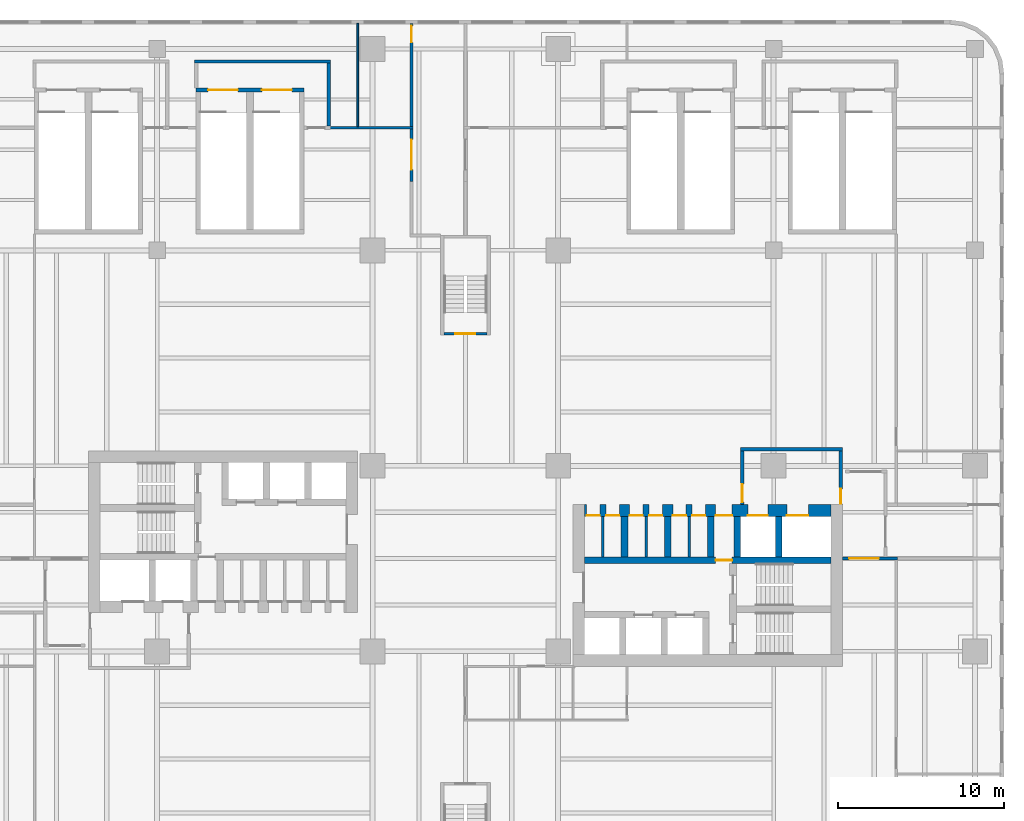
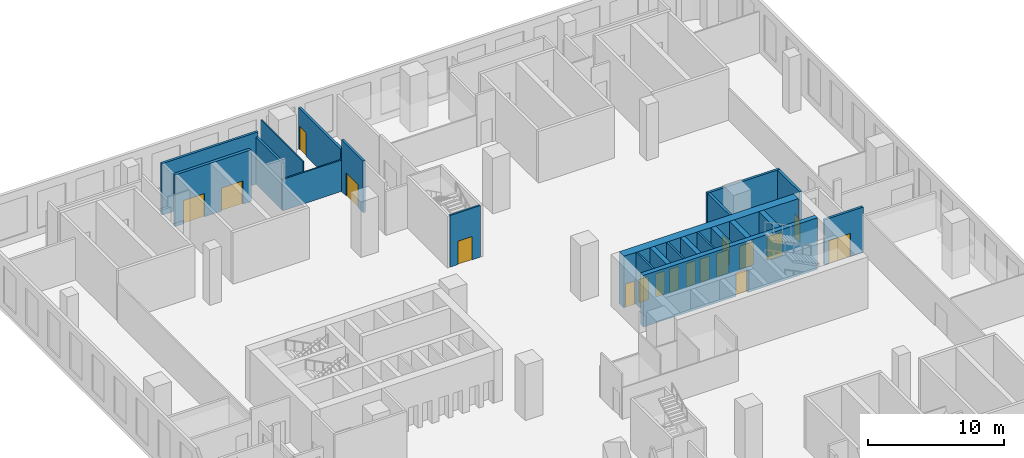
# One storey, part 9 of 13: 22 walls, 18 doors, 18 openings.
"""IFC4 building model written with IfcOpenShell, lengths in metres."""

import ifcopenshell
import ifcopenshell.guid

model = None  # the IFC model being written
_history = None  # IfcOwnerHistory: only IFC2X3 demands one
_inside = {}  # id of a spatial element -> (the spatial element, [elements in it])
_under = {}  # id of a project, library or spatial element -> (it, [spatial elements below it])
_declared = {}  # id of a project -> (the project, [libraries it declares])
_typed = {}  # id of a type object -> (the type object, [elements of that type])
_made_of = {}  # id of a material, layer set ... -> (it, [elements and type objects made of it])


def new_model(schema):
    """Start an empty IFC model of exactly this schema.

    Asked for "IFC4X3", IfcOpenShell would pick the latest addendum, in which some entities
    have other attributes; the version numbers below select the first issue.
    IFC2X3 requires an IfcOwnerHistory on every rooted entity: one is made here for all.
    """
    global model, _history
    if schema == "IFC4X3":
        model = ifcopenshell.file(schema_version=(4, 3, 0, 0))
    else:
        model = ifcopenshell.file(schema=schema)
    _inside.clear()
    _under.clear()
    _declared.clear()
    _typed.clear()
    _made_of.clear()
    _history = None
    if model.schema == "IFC2X3":
        org = make("IfcOrganization", Name="unknown")
        user = make(
            "IfcPersonAndOrganization",
            ThePerson=make("IfcPerson", FamilyName="unknown"),
            TheOrganization=org,
        )
        app = make(
            "IfcApplication",
            ApplicationDeveloper=org,
            Version="unknown",
            ApplicationFullName="unknown",
            ApplicationIdentifier="unknown",
        )
        _history = make(
            "IfcOwnerHistory",
            OwningUser=user,
            OwningApplication=app,
            ChangeAction="ADDED",
            CreationDate=0,
        )
    return model


def make(cls, **values):
    """One entity of the class cls with the attributes given. An attribute that is None is left unset."""
    return model.create_entity(
        cls, **{name: value for name, value in values.items() if value is not None}
    )


def rooted(cls, **values):
    """An entity with a GlobalId (a new one), such as an element, a storey or a relation."""
    return make(cls, GlobalId=ifcopenshell.guid.new(), OwnerHistory=_history, **values)


def si_unit(unit_type, name, prefix=None):
    """IfcSIUnit, for example si_unit("LENGTHUNIT", "METRE", prefix="MILLI")."""
    return make("IfcSIUnit", UnitType=unit_type, Prefix=prefix, Name=name)


def assignment(units):
    """IfcUnitAssignment: the units of a project."""
    return None if units is None else make("IfcUnitAssignment", Units=units)


def point(xyz):
    """IfcCartesianPoint."""
    return None if xyz is None else make("IfcCartesianPoint", Coordinates=xyz)


def direction(xyz):
    """IfcDirection."""
    return None if xyz is None else make("IfcDirection", DirectionRatios=xyz)


def frame(location, z_axis=None, x_axis=None):
    """IfcAxis2Placement3D, a coordinate frame: its origin and axes. An axis left out is left unset."""
    return make(
        "IfcAxis2Placement3D",
        Location=point(location),
        Axis=direction(z_axis),
        RefDirection=direction(x_axis),
    )


def frame_2d(location, x_axis=None):
    """IfcAxis2Placement2D, a coordinate frame in the plane: its origin and x axis."""
    return make(
        "IfcAxis2Placement2D", Location=point(location), RefDirection=direction(x_axis)
    )


def origin():
    """The frame at (0, 0, 0) with its axes left unset."""
    return frame((0.0, 0.0, 0.0))


def place(relative_to, where):
    """IfcLocalPlacement: puts the frame where relative to a parent placement (None: the world)."""
    return make(
        "IfcLocalPlacement", PlacementRelTo=relative_to, RelativePlacement=where
    )


def context(
    kind, dimensions, precision=None, world=None, true_north=None, identifier=None
):
    """IfcGeometricRepresentationContext, for example the 3D "Model" context."""
    return make(
        "IfcGeometricRepresentationContext",
        ContextIdentifier=identifier,
        ContextType=kind,
        CoordinateSpaceDimension=dimensions,
        Precision=precision,
        WorldCoordinateSystem=world,
        TrueNorth=true_north,
    )


def subcontext(parent, identifier, kind, view, scale=None):
    """IfcGeometricRepresentationSubContext, for example "Body" below "Model"."""
    return make(
        "IfcGeometricRepresentationSubContext",
        ContextIdentifier=identifier,
        ContextType=kind,
        ParentContext=parent,
        TargetScale=scale,
        TargetView=view,
    )


def project(units=None, contexts=None):
    """IfcProject with its units and contexts."""
    return rooted(
        "IfcProject",
        Name="project",
        RepresentationContexts=contexts,
        UnitsInContext=assignment(units),
    )


def spatial(cls, under=None, at=None, **own):
    """A site, building, storey or space (cls), placed at a placement, below another one or the project."""
    s = rooted(cls, ObjectPlacement=at, **own)
    if under is not None:
        _under.setdefault(under.id(), (under, []))[1].append(s)
    return s


def profile(cls, at=None, kind="AREA", **sizes):
    """A parametric profile (cls). Its sizes go by their IFC names, for example OverallWidth=200.0."""
    return make(cls, ProfileType=kind, Position=at, **sizes)


def rectangle(**sizes):
    """IfcRectangleProfileDef."""
    return profile("IfcRectangleProfileDef", **sizes)


def extrude(swept, where, along, depth):
    """IfcExtrudedAreaSolid: the profile swept, set in the frame where, extruded along a direction by depth."""
    return make(
        "IfcExtrudedAreaSolid",
        SweptArea=swept,
        Position=where,
        ExtrudedDirection=direction(along),
        Depth=depth,
    )


def shape(context_of_items, identifier, shape_type, items):
    """IfcShapeRepresentation: the items that make up one representation, for example the "Body"."""
    return make(
        "IfcShapeRepresentation",
        ContextOfItems=context_of_items,
        RepresentationIdentifier=identifier,
        RepresentationType=shape_type,
        Items=items,
    )


def source(mapping_origin, context_of_items, identifier, shape_type, items):
    """IfcRepresentationMap: a shape defined once, which mapped items show again and again."""
    return make(
        "IfcRepresentationMap",
        MappingOrigin=mapping_origin,
        MappedRepresentation=shape(context_of_items, identifier, shape_type, items),
    )


def transform(
    local_origin,
    x_axis=None,
    y_axis=None,
    z_axis=None,
    scale=None,
    scale2=None,
    scale3=None,
    uniform=True,
):
    """IfcCartesianTransformationOperator3D, or its non-uniform kind. x_axis, y_axis, z_axis: its Axis1, 2, 3."""
    if uniform:
        return make(
            "IfcCartesianTransformationOperator3D",
            Axis1=direction(x_axis),
            Axis2=direction(y_axis),
            LocalOrigin=point(local_origin),
            Scale=scale,
            Axis3=direction(z_axis),
        )
    return make(
        "IfcCartesianTransformationOperator3DnonUniform",
        Axis1=direction(x_axis),
        Axis2=direction(y_axis),
        LocalOrigin=point(local_origin),
        Scale=scale,
        Axis3=direction(z_axis),
        Scale2=scale2,
        Scale3=scale3,
    )


def mapped(mapping_source, mapping_target):
    """IfcMappedItem: shows the shape of a source again, moved by a transform."""
    return make(
        "IfcMappedItem", MappingSource=mapping_source, MappingTarget=mapping_target
    )


def material(Name=None, Category=None):
    """IfcMaterial."""
    return make("IfcMaterial", Name=Name, Category=Category)


def layer(
    of_material, thickness, ventilated=None, Name=None, Category=None, Priority=None
):
    """IfcMaterialLayer: one layer of a wall or slab, of a material (None: an air gap)."""
    return make(
        "IfcMaterialLayer",
        Material=of_material,
        LayerThickness=thickness,
        IsVentilated=ventilated,
        Name=Name,
        Category=Category,
        Priority=Priority,
    )


def layer_set(layers, Name=None):
    """IfcMaterialLayerSet."""
    return make("IfcMaterialLayerSet", MaterialLayers=layers, LayerSetName=Name)


def made_of(thing, what):
    """Note that an element or type object is made of a material, layer set ...; save() writes the relation."""
    if what is not None:
        _made_of.setdefault(what.id(), (what, []))[1].append(thing)
    return thing


def type_object(cls, material=None, **own):
    """A type object (cls), such as IfcWallType, which elements share."""
    return made_of(rooted(cls, **own), material)


def element(
    cls,
    number,
    at=None,
    inside=None,
    cuts=None,
    type_object=None,
    material=None,
    context=None,
    identifier="Body",
    shape_type=None,
    held_by="IfcProductDefinitionShape",
    body=None,
    shapes=None,
    **own,
):
    """One element of the class cls, such as IfcWall. Its Tag is "e" and its number.

    at: its placement. inside: the storey or other place that contains it. cuts: it is an
    opening in that element (IfcRelVoidsElement). A single representation is given by context,
    identifier, shape_type and body (its items); several are given by shapes. held_by: the class
    of the entity that holds the representations. save() writes the other relations.
    """
    e = rooted(cls, Tag="e%d" % number, ObjectPlacement=at, **own)
    if body is not None:
        shapes = [shape(context, identifier, shape_type, body)]
    if shapes is not None:
        e.Representation = make(held_by, Representations=shapes)
    if inside is not None:
        _inside.setdefault(inside.id(), (inside, []))[1].append(e)
    if cuts is not None:
        rooted(
            "IfcRelVoidsElement", RelatingBuildingElement=cuts, RelatedOpeningElement=e
        )
    if type_object is not None:
        _typed.setdefault(type_object.id(), (type_object, []))[1].append(e)
    return made_of(e, material)


def fill(opening, filler):
    """IfcRelFillsElement: the door or window that sits in an opening."""
    return rooted(
        "IfcRelFillsElement",
        RelatingOpeningElement=opening,
        RelatedBuildingElement=filler,
    )


def aggregate(whole, parts):
    """IfcRelAggregates: a whole, such as a stair, and the parts it consists of."""
    return rooted("IfcRelAggregates", RelatingObject=whole, RelatedObjects=parts)


def save(model, path):
    """Write the relations noted so far, then the file.

    IfcRelAggregates (storeys below a building ...), IfcRelContainedInSpatialStructure (elements
    in a storey), IfcRelDefinesByType, IfcRelAssociatesMaterial and IfcRelDeclares: one each for
    every whole, place, type object, material and project.
    """
    for whole, parts in _under.values():
        aggregate(whole, parts)
    for where, things in _inside.values():
        rooted(
            "IfcRelContainedInSpatialStructure",
            RelatedElements=things,
            RelatingStructure=where,
        )
    for kind, things in _typed.values():
        rooted("IfcRelDefinesByType", RelatedObjects=things, RelatingType=kind)
    for what, things in _made_of.values():
        rooted("IfcRelAssociatesMaterial", RelatedObjects=things, RelatingMaterial=what)
    for by, libraries in _declared.values():
        rooted("IfcRelDeclares", RelatingContext=by, RelatedDefinitions=libraries)
    model.write(path)


model = new_model("IFC4")

# Units and contexts
model_context = context("Model", 3, precision=1e-05, world=origin(), true_north=direction((0.0, 1.0)))
body_context = subcontext(model_context, "Body", "Model", "MODEL_VIEW")
ifc_project = project(units=[si_unit("LENGTHUNIT", "METRE"), si_unit("AREAUNIT", "SQUARE_METRE"), si_unit("VOLUMEUNIT", "CUBIC_METRE"), si_unit("PLANEANGLEUNIT", "RADIAN"), si_unit("MASSUNIT", "GRAM", prefix="KILO")], contexts=[model_context])

# Site, building, storey
site_placement = place(None, origin())
site = spatial("IfcSite", under=ifc_project, at=site_placement, CompositionType="ELEMENT")
building_placement = place(site_placement, origin())
building = spatial("IfcBuilding", under=site, at=building_placement, Name="Trellis Farm Tower", CompositionType="ELEMENT")
storey_placement = place(building_placement, frame((0.0, 0.0, 29.0)))
storey = spatial("IfcBuildingStorey", under=building, at=storey_placement, Name="L05", CompositionType="ELEMENT", Elevation=29.0)

# Walls
ifc_material_1 = material(Name="Concrete C80/95", Category="concrete")
ifc_layer_1 = layer(ifc_material_1, 0.39990234375)
ifc_layer_set_1 = layer_set([ifc_layer_1], Name="CORE INNER WALL 400 CONCRETE C80/95")
wall_type_1 = type_object("IfcWallType", Name="CORE INNER WALL 400 CONCRETE C80/95", PredefinedType="SHEAR", material=ifc_layer_set_1)
shared_shape_1 = source(origin(), body_context, "Body", "SweptSolid", [
    extrude(rectangle(XDim=2.449951171875, YDim=0.39990234375, at=frame_2d((1.22509765625, 0.0))), origin(), (0.0, 0.0, 1.0), 4.64990234375),
])
for number, where, z_axis, x_axis, name in (
    (1, (9.60009765625, 0.10009765625, 0.0), (0.0, 0.0, 1.0), (0.0, 1.0, 0.0), "Core wall"),
    (2, (12.199951171875, 0.10009765625, 0.0), (0.0, 0.0, 1.0), (0.0, 1.0, 0.0), "Core wall"),
    (3, (14.800048828125, 0.10009765625, 0.0), (0.0, 0.0, 1.0), (0.0, 1.0, 0.0), "Core wall"),
    (4, (16.39990234375, 0.10009765625, 0.0), (0.0, 0.0, 1.0), (0.0, 1.0, 0.0), "Core wall"),
    (5, (18.89990234375, 0.10009765625, 0.0), (0.0, 0.0, 1.0), (0.0, 1.0, 0.0), "Core wall"),
):
    element("IfcWall", number, at=place(storey_placement, frame(where, z_axis=z_axis, x_axis=x_axis)), inside=storey, type_object=wall_type_1, Name=name, PredefinedType="SHEAR", context=body_context, shape_type="MappedRepresentation", body=[
        mapped(shared_shape_1, transform((0.0, 0.0, 0.0))),
    ])

# Wall, opening, door
ifc_material_2 = material(Name="Masonry blockwork", Category="masonry")
ifc_layer_2 = layer(ifc_material_2, 0.199951171875)
ifc_layer_set_2 = layer_set([ifc_layer_2], Name="FIRE LOBBY PARTITION 200 BLOCKWORK")
wall_type_2 = type_object("IfcWallType", Name="FIRE LOBBY PARTITION 200 BLOCKWORK", PredefinedType="PARTITIONING", material=ifc_layer_set_2)
shared_shape_2 = source(origin(), body_context, "Body", "SweptSolid", [
    extrude(rectangle(XDim=3.25, YDim=0.199951171875, at=frame_2d((1.625, 0.0))), origin(), (0.0, 0.0, 1.0), 4.64990234375),
])
wall_1_placement = place(storey_placement, frame((16.699951171875, 3.25, 0.0), z_axis=(0.0, 0.0, 1.0), x_axis=(0.0, 1.0, 0.0)))
wall_1 = element("IfcWall", 6, at=wall_1_placement, inside=storey, type_object=wall_type_2, Name="Fire-fighting lobby partition", PredefinedType="PARTITIONING", context=body_context, shape_type="MappedRepresentation", body=[
    mapped(shared_shape_2, transform((0.0, 0.0, 0.0))),
])
shared_shape_3 = source(origin(), body_context, "Body", "SweptSolid", [
    extrude(rectangle(XDim=1.10009765625, YDim=2.10009765625, at=frame_2d((0.550048828125, 1.050048828125))), frame((0.0, 0.110107421875, 0.0), z_axis=(0.0, -1.0, 0.0), x_axis=(1.0, 0.0, 0.0)), (0.0, 0.0, 1.0), 0.22021484375),
])
opening_1_placement = place(wall_1_placement, frame((0.14990234375, 0.0, 0.0)))
opening_1 = element("IfcOpeningElement", 7, at=opening_1_placement, cuts=wall_1, Name="Opening DC7", PredefinedType="OPENING", context=body_context, shape_type="MappedRepresentation", body=[
    mapped(shared_shape_3, transform((0.0, 0.0, 0.0))),
])
ifc_material_3 = material(Name="Steel", Category="steel")
door_type_1 = type_object("IfcDoorType", Name="CORE FIRE DOOR 1100 X 2100", OperationType="NOTDEFINED", PredefinedType="DOOR", material=ifc_material_3)
shared_shape_4 = source(origin(), body_context, "Body", "SweptSolid", [
    extrude(rectangle(XDim=1.10009765625, YDim=2.10009765625, at=frame_2d((0.550048828125, 1.050048828125))), frame((0.0, 0.02490234375, 0.0), z_axis=(0.0, -1.0, 0.0), x_axis=(1.0, 0.0, 0.0)), (0.0, 0.0, 1.0), 0.050048828125),
])
door_1_placement = place(opening_1_placement, origin())
door_1 = element("IfcDoor", 8, at=door_1_placement, inside=storey, type_object=door_type_1, Name="Core door", OperationType="SINGLE_SWING_RIGHT", OverallHeight=2.10009765625, OverallWidth=1.10009765625, PredefinedType="DOOR", context=body_context, shape_type="MappedRepresentation", body=[
    mapped(shared_shape_4, transform((0.0, 0.0, 0.0))),
])
fill(opening_1, door_1)

wall_2_placement = place(storey_placement, frame((22.64990234375, 3.25, 0.0), z_axis=(0.0, 0.0, 1.0), x_axis=(0.0, 1.0, 0.0)))
wall_2 = element("IfcWall", 9, at=wall_2_placement, inside=storey, type_object=wall_type_2, Name="Fire-fighting lobby partition", PredefinedType="PARTITIONING", context=body_context, shape_type="MappedRepresentation", body=[
    mapped(shared_shape_2, transform((0.0, 0.0, 0.0))),
])
shared_shape_5 = source(origin(), body_context, "Body", "SweptSolid", [
    extrude(rectangle(XDim=0.89990234375, YDim=2.10009765625, at=frame_2d((0.449951171875, 1.050048828125))), frame((0.0, 0.110107421875, 0.0), z_axis=(0.0, -1.0, 0.0), x_axis=(1.0, 0.0, 0.0)), (0.0, 0.0, 1.0), 0.22021484375),
])
opening_2_placement = place(wall_2_placement, frame((0.050048828125, 0.0, 0.0)))
opening_2 = element("IfcOpeningElement", 10, at=opening_2_placement, cuts=wall_2, Name="Opening DC8", PredefinedType="OPENING", context=body_context, shape_type="MappedRepresentation", body=[
    mapped(shared_shape_5, transform((0.0, 0.0, 0.0))),
])
door_type_2 = type_object("IfcDoorType", Name="CORE FIRE DOOR 900 X 2100", OperationType="NOTDEFINED", PredefinedType="DOOR", material=ifc_material_3)
shared_shape_6 = source(origin(), body_context, "Body", "SweptSolid", [
    extrude(rectangle(XDim=0.89990234375, YDim=2.10009765625, at=frame_2d((0.449951171875, 1.050048828125))), frame((0.0, 0.02490234375, 0.0), z_axis=(0.0, -1.0, 0.0), x_axis=(1.0, 0.0, 0.0)), (0.0, 0.0, 1.0), 0.050048828125),
])
door_2_placement = place(opening_2_placement, origin())
door_2 = element("IfcDoor", 11, at=door_2_placement, inside=storey, type_object=door_type_2, Name="Core door", OperationType="SINGLE_SWING_RIGHT", OverallHeight=2.10009765625, OverallWidth=0.89990234375, PredefinedType="DOOR", context=body_context, shape_type="MappedRepresentation", body=[
    mapped(shared_shape_6, transform((0.0, 0.0, 0.0))),
])
fill(opening_2, door_2)

# Walls
ifc_layer_3 = layer(ifc_material_2, 0.14990234375)
ifc_layer_set_3 = layer_set([ifc_layer_3], Name="CORE PARTITION 150 BLOCKWORK")
wall_type_3 = type_object("IfcWallType", Name="CORE PARTITION 150 BLOCKWORK", PredefinedType="PARTITIONING", material=ifc_layer_set_3)
shared_shape_7 = source(origin(), body_context, "Body", "SweptSolid", [
    extrude(rectangle(XDim=2.449951171875, YDim=0.14990234375, at=frame_2d((1.22509765625, 0.0))), origin(), (0.0, 0.0, 1.0), 4.64990234375),
])
for number, where, z_axis, x_axis, name in (
    (12, (8.300048828125, 0.10009765625, 0.0), (0.0, 0.0, 1.0), (0.0, 1.0, 0.0), "Core room partition"),
    (13, (10.89990234375, 0.10009765625, 0.0), (0.0, 0.0, 1.0), (0.0, 1.0, 0.0), "Core room partition"),
    (14, (13.5, 0.10009765625, 0.0), (0.0, 0.0, 1.0), (0.0, 1.0, 0.0), "Core room partition"),
):
    element("IfcWall", number, at=place(storey_placement, frame(where, z_axis=z_axis, x_axis=x_axis)), inside=storey, type_object=wall_type_3, Name=name, PredefinedType="PARTITIONING", context=body_context, shape_type="MappedRepresentation", body=[
        mapped(shared_shape_7, transform((0.0, 0.0, 0.0))),
    ])

# Wall, openings, doors
ifc_layer_4 = layer(ifc_material_1, 0.699951171875)
ifc_layer_set_4 = layer_set([ifc_layer_4], Name="CORE OUTER WALL 700 CONCRETE C80/95")
wall_type_4 = type_object("IfcWallType", Name="CORE OUTER WALL 700 CONCRETE C80/95", PredefinedType="SHEAR", material=ifc_layer_set_4)
shared_shape_8 = source(origin(), body_context, "Body", "SweptSolid", [
    extrude(rectangle(XDim=14.85009765625, YDim=0.699951171875, at=frame_2d((7.425048828125, 0.0))), origin(), (0.0, 0.0, 1.0), 4.64990234375),
])
wall_3_placement = place(storey_placement, frame((7.199951171875, 2.89990234375, 0.0), z_axis=(0.0, 0.0, 1.0), x_axis=(1.0, 0.0, 0.0)))
wall_3 = element("IfcWall", 15, at=wall_3_placement, inside=storey, type_object=wall_type_4, Name="Core wall", PredefinedType="SHEAR", context=body_context, shape_type="MappedRepresentation", body=[
    mapped(shared_shape_8, transform((0.0, 0.0, 0.0))),
])
shared_shape_9 = source(origin(), body_context, "Body", "SweptSolid", [
    extrude(rectangle(XDim=1.300048828125, YDim=2.10009765625, at=frame_2d((0.64990234375, 1.050048828125))), frame((0.0, 0.360107421875, 0.0), z_axis=(0.0, -1.0, 0.0), x_axis=(1.0, 0.0, 0.0)), (0.0, 0.0, 1.0), 0.72021484375),
])
opening_3_placement = place(wall_3_placement, frame((12.199951171875, 0.0, 0.0)))
opening_3 = element("IfcOpeningElement", 16, at=opening_3_placement, cuts=wall_3, Name="Opening LD7", PredefinedType="OPENING", context=body_context, shape_type="MappedRepresentation", body=[
    mapped(shared_shape_9, transform((0.0, 0.0, 0.0))),
])
shared_shape_10 = source(origin(), body_context, "Body", "SweptSolid", [
    extrude(rectangle(XDim=1.199951171875, YDim=2.10009765625, at=frame_2d((0.60009765625, 1.050048828125))), frame((0.0, 0.360107421875, 0.0), z_axis=(0.0, -1.0, 0.0), x_axis=(1.0, 0.0, 0.0)), (0.0, 0.0, 1.0), 0.72021484375),
])
opening_4_placement = place(wall_3_placement, frame((9.85009765625, 0.0, 0.0)))
opening_4 = element("IfcOpeningElement", 17, at=opening_4_placement, cuts=wall_3, Name="Opening LD8", PredefinedType="OPENING", context=body_context, shape_type="MappedRepresentation", body=[
    mapped(shared_shape_10, transform((0.0, 0.0, 0.0))),
])
shared_shape_11 = source(origin(), body_context, "Body", "SweptSolid", [
    extrude(rectangle(XDim=1.0, YDim=2.10009765625, at=frame_2d((0.5, 1.050048828125))), frame((0.0, 0.360107421875, 0.0), z_axis=(0.0, -1.0, 0.0), x_axis=(1.0, 0.0, 0.0)), (0.0, 0.0, 1.0), 0.72021484375),
])
opening_5_placement = place(wall_3_placement, frame((7.89990234375, 0.0, 0.0)))
opening_5 = element("IfcOpeningElement", 18, at=opening_5_placement, cuts=wall_3, Name="Opening DC6", PredefinedType="OPENING", context=body_context, shape_type="MappedRepresentation", body=[
    mapped(shared_shape_11, transform((0.0, 0.0, 0.0))),
])
shared_shape_12 = source(origin(), body_context, "Body", "SweptSolid", [
    extrude(rectangle(XDim=0.800048828125, YDim=2.10009765625, at=frame_2d((0.39990234375, 1.050048828125))), frame((0.0, 0.360107421875, 0.0), z_axis=(0.0, -1.0, 0.0), x_axis=(1.0, 0.0, 0.0)), (0.0, 0.0, 1.0), 0.72021484375),
])
opening_6_placement = place(wall_3_placement, frame((0.112548828125, 0.0, 0.0)))
opening_6 = element("IfcOpeningElement", 19, at=opening_6_placement, cuts=wall_3, Name="Opening DC9", PredefinedType="OPENING", context=body_context, shape_type="MappedRepresentation", body=[
    mapped(shared_shape_12, transform((0.0, 0.0, 0.0))),
])
opening_7_placement = place(wall_3_placement, frame((1.28759765625, 0.0, 0.0)))
opening_7 = element("IfcOpeningElement", 20, at=opening_7_placement, cuts=wall_3, Name="Opening DC16", PredefinedType="OPENING", context=body_context, shape_type="MappedRepresentation", body=[
    mapped(shared_shape_12, transform((0.0, 0.0, 0.0))),
])
opening_8_placement = place(wall_3_placement, frame((2.71240234375, 0.0, 0.0)))
opening_8 = element("IfcOpeningElement", 21, at=opening_8_placement, cuts=wall_3, Name="Opening DC21", PredefinedType="OPENING", context=body_context, shape_type="MappedRepresentation", body=[
    mapped(shared_shape_12, transform((0.0, 0.0, 0.0))),
])
opening_9_placement = place(wall_3_placement, frame((3.887451171875, 0.0, 0.0)))
opening_9 = element("IfcOpeningElement", 22, at=opening_9_placement, cuts=wall_3, Name="Opening DC28", PredefinedType="OPENING", context=body_context, shape_type="MappedRepresentation", body=[
    mapped(shared_shape_12, transform((0.0, 0.0, 0.0))),
])
opening_10_placement = place(wall_3_placement, frame((5.3125, 0.0, 0.0)))
opening_10 = element("IfcOpeningElement", 23, at=opening_10_placement, cuts=wall_3, Name="Opening DC33", PredefinedType="OPENING", context=body_context, shape_type="MappedRepresentation", body=[
    mapped(shared_shape_12, transform((0.0, 0.0, 0.0))),
])
opening_11_placement = place(wall_3_placement, frame((6.487548828125, 0.0, 0.0)))
opening_11 = element("IfcOpeningElement", 24, at=opening_11_placement, cuts=wall_3, Name="Opening DC40", PredefinedType="OPENING", context=body_context, shape_type="MappedRepresentation", body=[
    mapped(shared_shape_12, transform((0.0, 0.0, 0.0))),
])
door_type_3 = type_object("IfcDoorType", Name="CORE FIRE DOOR 1000 X 2100", OperationType="NOTDEFINED", PredefinedType="DOOR", material=ifc_material_3)
shared_shape_13 = source(origin(), body_context, "Body", "SweptSolid", [
    extrude(rectangle(XDim=1.0, YDim=2.10009765625, at=frame_2d((0.5, 1.050048828125))), frame((0.0, -0.27490234375, 0.0), z_axis=(0.0, -1.0, 0.0), x_axis=(1.0, 0.0, 0.0)), (0.0, 0.0, 1.0), 0.050048828125),
])
door_3_placement = place(opening_5_placement, origin())
door_3 = element("IfcDoor", 25, at=door_3_placement, inside=storey, type_object=door_type_3, Name="Core door", OperationType="SINGLE_SWING_LEFT", OverallHeight=2.10009765625, OverallWidth=1.0, PredefinedType="DOOR", context=body_context, shape_type="MappedRepresentation", body=[
    mapped(shared_shape_13, transform((0.0, 0.0, 0.0))),
])
fill(opening_5, door_3)
ifc_material_4 = material(Name="Stainless steel", Category="steel")
door_type_4 = type_object("IfcDoorType", Name="LIFT LANDING DOOR 1300 X 2100", OperationType="DOUBLE_DOOR_SLIDING", PredefinedType="DOOR", material=ifc_material_4)
shared_shape_14 = source(origin(), body_context, "Body", "SweptSolid", [
    extrude(rectangle(XDim=1.300048828125, YDim=2.10009765625, at=frame_2d((0.64990234375, 1.050048828125))), frame((0.0, -0.27490234375, 0.0), z_axis=(0.0, -1.0, 0.0), x_axis=(1.0, 0.0, 0.0)), (0.0, 0.0, 1.0), 0.050048828125),
])
door_4_placement = place(opening_3_placement, origin())
door_4 = element("IfcDoor", 26, at=door_4_placement, inside=storey, type_object=door_type_4, Name="Lift landing door", OperationType="DOUBLE_DOOR_SLIDING", OverallHeight=2.10009765625, OverallWidth=1.300048828125, PredefinedType="DOOR", context=body_context, shape_type="MappedRepresentation", body=[
    mapped(shared_shape_14, transform((0.0, 0.0, 0.0))),
])
fill(opening_3, door_4)
door_type_5 = type_object("IfcDoorType", Name="LIFT LANDING DOOR 1200 X 2100", OperationType="DOUBLE_DOOR_SLIDING", PredefinedType="DOOR", material=ifc_material_4)
shared_shape_15 = source(origin(), body_context, "Body", "SweptSolid", [
    extrude(rectangle(XDim=1.199951171875, YDim=2.10009765625, at=frame_2d((0.60009765625, 1.050048828125))), frame((0.0, -0.27490234375, 0.0), z_axis=(0.0, -1.0, 0.0), x_axis=(1.0, 0.0, 0.0)), (0.0, 0.0, 1.0), 0.050048828125),
])
door_5_placement = place(opening_4_placement, origin())
door_5 = element("IfcDoor", 27, at=door_5_placement, inside=storey, type_object=door_type_5, Name="Lift landing door", OperationType="DOUBLE_DOOR_SLIDING", OverallHeight=2.10009765625, OverallWidth=1.199951171875, PredefinedType="DOOR", context=body_context, shape_type="MappedRepresentation", body=[
    mapped(shared_shape_15, transform((0.0, 0.0, 0.0))),
])
fill(opening_4, door_5)
door_type_6 = type_object("IfcDoorType", Name="CORE FIRE DOOR 800 X 2100", OperationType="NOTDEFINED", PredefinedType="DOOR", material=ifc_material_3)
shared_shape_16 = source(origin(), body_context, "Body", "SweptSolid", [
    extrude(rectangle(XDim=0.800048828125, YDim=2.10009765625, at=frame_2d((0.39990234375, 1.050048828125))), frame((0.0, -0.27490234375, 0.0), z_axis=(0.0, -1.0, 0.0), x_axis=(1.0, 0.0, 0.0)), (0.0, 0.0, 1.0), 0.050048828125),
])
door_6_placement = place(opening_6_placement, origin())
door_6 = element("IfcDoor", 28, at=door_6_placement, inside=storey, type_object=door_type_6, Name="Core door", OperationType="SINGLE_SWING_LEFT", OverallHeight=2.10009765625, OverallWidth=0.800048828125, PredefinedType="DOOR", context=body_context, shape_type="MappedRepresentation", body=[
    mapped(shared_shape_16, transform((0.0, 0.0, 0.0))),
])
fill(opening_6, door_6)
door_7_placement = place(opening_7_placement, origin())
door_7 = element("IfcDoor", 29, at=door_7_placement, inside=storey, type_object=door_type_6, Name="Core door", OperationType="SINGLE_SWING_RIGHT", OverallHeight=2.10009765625, OverallWidth=0.800048828125, PredefinedType="DOOR", context=body_context, shape_type="MappedRepresentation", body=[
    mapped(shared_shape_16, transform((0.0, 0.0, 0.0))),
])
fill(opening_7, door_7)
door_8_placement = place(opening_8_placement, origin())
door_8 = element("IfcDoor", 30, at=door_8_placement, inside=storey, type_object=door_type_6, Name="Core door", OperationType="SINGLE_SWING_LEFT", OverallHeight=2.10009765625, OverallWidth=0.800048828125, PredefinedType="DOOR", context=body_context, shape_type="MappedRepresentation", body=[
    mapped(shared_shape_16, transform((0.0, 0.0, 0.0))),
])
fill(opening_8, door_8)
door_9_placement = place(opening_9_placement, origin())
door_9 = element("IfcDoor", 31, at=door_9_placement, inside=storey, type_object=door_type_6, Name="Core door", OperationType="SINGLE_SWING_RIGHT", OverallHeight=2.10009765625, OverallWidth=0.800048828125, PredefinedType="DOOR", context=body_context, shape_type="MappedRepresentation", body=[
    mapped(shared_shape_16, transform((0.0, 0.0, 0.0))),
])
fill(opening_9, door_9)
door_10_placement = place(opening_10_placement, origin())
door_10 = element("IfcDoor", 32, at=door_10_placement, inside=storey, type_object=door_type_6, Name="Core door", OperationType="SINGLE_SWING_LEFT", OverallHeight=2.10009765625, OverallWidth=0.800048828125, PredefinedType="DOOR", context=body_context, shape_type="MappedRepresentation", body=[
    mapped(shared_shape_16, transform((0.0, 0.0, 0.0))),
])
fill(opening_10, door_10)
door_11_placement = place(opening_11_placement, origin())
door_11 = element("IfcDoor", 33, at=door_11_placement, inside=storey, type_object=door_type_6, Name="Core door", OperationType="SINGLE_SWING_RIGHT", OverallHeight=2.10009765625, OverallWidth=0.800048828125, PredefinedType="DOOR", context=body_context, shape_type="MappedRepresentation", body=[
    mapped(shared_shape_16, transform((0.0, 0.0, 0.0))),
])
fill(opening_11, door_11)

# Wall, opening, door
shared_shape_17 = source(origin(), body_context, "Body", "SweptSolid", [
    extrude(rectangle(XDim=14.85009765625, YDim=0.39990234375, at=frame_2d((7.425048828125, 0.0))), origin(), (0.0, 0.0, 1.0), 4.64990234375),
])
wall_4_placement = place(storey_placement, frame((7.199951171875, -0.10009765625, 0.0), z_axis=(0.0, 0.0, 1.0), x_axis=(1.0, 0.0, 0.0)))
wall_4 = element("IfcWall", 34, at=wall_4_placement, inside=storey, type_object=wall_type_1, Name="Core wall", PredefinedType="SHEAR", context=body_context, shape_type="MappedRepresentation", body=[
    mapped(shared_shape_17, transform((0.0, 0.0, 0.0))),
])
shared_shape_18 = source(origin(), body_context, "Body", "SweptSolid", [
    extrude(rectangle(XDim=1.0, YDim=2.10009765625, at=frame_2d((0.5, 1.050048828125))), frame((0.0, 0.2099609375, 0.0), z_axis=(0.0, -1.0, 0.0), x_axis=(1.0, 0.0, 0.0)), (0.0, 0.0, 1.0), 0.419921875),
])
opening_12_placement = place(wall_4_placement, frame((7.89990234375, 0.0, 0.0)))
opening_12 = element("IfcOpeningElement", 35, at=opening_12_placement, cuts=wall_4, Name="Opening DC5", PredefinedType="OPENING", context=body_context, shape_type="MappedRepresentation", body=[
    mapped(shared_shape_18, transform((0.0, 0.0, 0.0))),
])
shared_shape_19 = source(origin(), body_context, "Body", "SweptSolid", [
    extrude(rectangle(XDim=1.0, YDim=2.10009765625, at=frame_2d((0.5, 1.050048828125))), frame((0.0, 0.02490234375, 0.0), z_axis=(0.0, -1.0, 0.0), x_axis=(1.0, 0.0, 0.0)), (0.0, 0.0, 1.0), 0.050048828125),
])
door_12_placement = place(opening_12_placement, origin())
door_12 = element("IfcDoor", 36, at=door_12_placement, inside=storey, type_object=door_type_3, Name="Core door", OperationType="SINGLE_SWING_RIGHT", OverallHeight=2.10009765625, OverallWidth=1.0, PredefinedType="DOOR", context=body_context, shape_type="MappedRepresentation", body=[
    mapped(shared_shape_19, transform((0.0, 0.0, 0.0))),
])
fill(opening_12, door_12)

# Wall
shared_shape_20 = source(origin(), body_context, "Body", "SweptSolid", [
    extrude(rectangle(XDim=6.14990234375, YDim=0.199951171875, at=frame_2d((3.074951171875, 0.0))), origin(), (0.0, 0.0, 1.0), 4.64990234375),
])
wall_5_placement = place(storey_placement, frame((16.60009765625, 6.60009765625, 0.0), z_axis=(0.0, 0.0, 1.0), x_axis=(1.0, 0.0, 0.0)))
element("IfcWall", 37, at=wall_5_placement, inside=storey, type_object=wall_type_2, Name="Fire-fighting lobby partition", PredefinedType="PARTITIONING", context=body_context, shape_type="MappedRepresentation", body=[
    mapped(shared_shape_20, transform((0.0, 0.0, 0.0))),
])

# Wall, opening, door
ifc_layer_5 = layer(ifc_material_1, 0.14990234375)
ifc_layer_set_5 = layer_set([ifc_layer_5], Name="CORE STAIR ENCLOSURE WALL 150 CONCRETE C80/95")
wall_type_5 = type_object("IfcWallType", Name="CORE STAIR ENCLOSURE WALL 150 CONCRETE C80/95", PredefinedType="SHEAR", material=ifc_layer_set_5)
shared_shape_21 = source(origin(), body_context, "Body", "SweptSolid", [
    extrude(rectangle(XDim=2.60009765625, YDim=0.14990234375, at=frame_2d((1.300048828125, 0.0))), origin(), (0.0, 0.0, 1.0), 4.64990234375),
])
wall_6_placement = place(storey_placement, frame((-1.300048828125, 13.574951171875, 0.0), z_axis=(0.0, 0.0, 1.0), x_axis=(1.0, 0.0, 0.0)))
wall_6 = element("IfcWall", 38, at=wall_6_placement, inside=storey, type_object=wall_type_5, Name="Stair enclosure wall", PredefinedType="SHEAR", context=body_context, shape_type="MappedRepresentation", body=[
    mapped(shared_shape_21, transform((0.0, 0.0, 0.0))),
])
shared_shape_22 = source(origin(), body_context, "Body", "SweptSolid", [
    extrude(rectangle(XDim=1.199951171875, YDim=2.10009765625, at=frame_2d((0.60009765625, 1.050048828125))), frame((0.0, 0.0849609375, 0.0), z_axis=(0.0, -1.0, 0.0), x_axis=(1.0, 0.0, 0.0)), (0.0, 0.0, 1.0), 0.169921875),
])
opening_13_placement = place(wall_6_placement, frame((0.699951171875, 0.0, 0.0)))
opening_13 = element("IfcOpeningElement", 39, at=opening_13_placement, cuts=wall_6, Name="Opening DC173", PredefinedType="OPENING", context=body_context, shape_type="MappedRepresentation", body=[
    mapped(shared_shape_22, transform((0.0, 0.0, 0.0))),
])
door_type_7 = type_object("IfcDoorType", Name="CORE FIRE DOOR 1200 X 2100", OperationType="NOTDEFINED", PredefinedType="DOOR", material=ifc_material_3)
shared_shape_23 = source(origin(), body_context, "Body", "SweptSolid", [
    extrude(rectangle(XDim=1.199951171875, YDim=2.10009765625, at=frame_2d((0.60009765625, 1.050048828125))), frame((0.0, 0.02490234375, 0.0), z_axis=(0.0, -1.0, 0.0), x_axis=(1.0, 0.0, 0.0)), (0.0, 0.0, 1.0), 0.050048828125),
])
door_13_placement = place(opening_13_placement, origin())
door_13 = element("IfcDoor", 40, at=door_13_placement, inside=storey, type_object=door_type_7, Name="Core door", OperationType="SINGLE_SWING_LEFT", OverallHeight=2.10009765625, OverallWidth=1.199951171875, PredefinedType="DOOR", context=body_context, shape_type="MappedRepresentation", body=[
    mapped(shared_shape_23, transform((0.0, 0.0, 0.0))),
])
fill(opening_13, door_13)

# Wall, openings, doors
ifc_layer_6 = layer(ifc_material_1, 0.25)
ifc_layer_set_6 = layer_set([ifc_layer_6], Name="CORE STAIR ENCLOSURE WALL 250 CONCRETE C80/95")
wall_type_6 = type_object("IfcWallType", Name="CORE STAIR ENCLOSURE WALL 250 CONCRETE C80/95", PredefinedType="SHEAR", material=ifc_layer_set_6)
shared_shape_24 = source(origin(), body_context, "Body", "SweptSolid", [
    extrude(rectangle(XDim=6.5, YDim=0.25, at=frame_2d((3.25, 0.0))), origin(), (0.0, 0.0, 1.0), 4.64990234375),
])
wall_7_placement = place(storey_placement, frame((-16.25, 28.27490234375, 0.0), z_axis=(0.0, 0.0, 1.0), x_axis=(1.0, 0.0, 0.0)))
wall_7 = element("IfcWall", 41, at=wall_7_placement, inside=storey, type_object=wall_type_6, Name="Podium stair enclosure wall", PredefinedType="SHEAR", context=body_context, shape_type="MappedRepresentation", body=[
    mapped(shared_shape_24, transform((0.0, 0.0, 0.0))),
])
shared_shape_25 = source(origin(), body_context, "Body", "SweptSolid", [
    extrude(rectangle(XDim=1.800048828125, YDim=2.10009765625, at=frame_2d((0.89990234375, 1.050048828125))), frame((0.0, 0.135009765625, 0.0), z_axis=(0.0, -1.0, 0.0), x_axis=(1.0, 0.0, 0.0)), (0.0, 0.0, 1.0), 0.27001953125),
])
opening_14_placement = place(wall_7_placement, frame((0.72509765625, 0.0, 0.0)))
opening_14 = element("IfcOpeningElement", 42, at=opening_14_placement, cuts=wall_7, Name="Opening DP3", PredefinedType="OPENING", context=body_context, shape_type="MappedRepresentation", body=[
    mapped(shared_shape_25, transform((0.0, 0.0, 0.0))),
])
opening_15_placement = place(wall_7_placement, frame((3.97509765625, 0.0, 0.0)))
opening_15 = element("IfcOpeningElement", 43, at=opening_15_placement, cuts=wall_7, Name="Opening DP4", PredefinedType="OPENING", context=body_context, shape_type="MappedRepresentation", body=[
    mapped(shared_shape_25, transform((0.0, 0.0, 0.0))),
])
door_type_8 = type_object("IfcDoorType", Name="CORE FIRE DOOR DOUBLE 1800 X 2100", OperationType="DOUBLE_DOOR_SINGLE_SWING", PredefinedType="DOOR", material=ifc_material_3)
shared_shape_26 = source(origin(), body_context, "Body", "SweptSolid", [
    extrude(rectangle(XDim=1.800048828125, YDim=2.10009765625, at=frame_2d((0.89990234375, 1.050048828125))), frame((0.0, 0.02490234375, 0.0), z_axis=(0.0, -1.0, 0.0), x_axis=(1.0, 0.0, 0.0)), (0.0, 0.0, 1.0), 0.050048828125),
])
door_14_placement = place(opening_14_placement, origin())
door_14 = element("IfcDoor", 44, at=door_14_placement, inside=storey, type_object=door_type_8, Name="Podium stair door", OperationType="DOUBLE_DOOR_SINGLE_SWING", OverallHeight=2.10009765625, OverallWidth=1.800048828125, PredefinedType="DOOR", context=body_context, shape_type="MappedRepresentation", body=[
    mapped(shared_shape_26, transform((0.0, 0.0, 0.0))),
])
fill(opening_14, door_14)
door_15_placement = place(opening_15_placement, origin())
door_15 = element("IfcDoor", 45, at=door_15_placement, inside=storey, type_object=door_type_8, Name="Podium stair door", OperationType="DOUBLE_DOOR_SINGLE_SWING", OverallHeight=2.10009765625, OverallWidth=1.800048828125, PredefinedType="DOOR", context=body_context, shape_type="MappedRepresentation", body=[
    mapped(shared_shape_26, transform((0.0, 0.0, 0.0))),
])
fill(opening_15, door_15)

# Wall
ifc_material_5 = material(Name="Lightweight blockwork, plastered", Category="masonry")
ifc_layer_7 = layer(ifc_material_5, 0.199951171875)
ifc_layer_set_7 = layer_set([ifc_layer_7], Name="BLOCK WALL 200 EI 120")
wall_type_7 = type_object("IfcWallType", Name="BLOCK WALL 200 EI 120", PredefinedType="PARTITIONING", material=ifc_layer_set_7)
shared_shape_27 = source(origin(), body_context, "Body", "SweptSolid", [
    extrude(rectangle(XDim=3.7998046875, YDim=0.199951171875, at=frame_2d((1.89990234375, 0.0))), origin(), (0.0, 0.0, 1.0), 4.2236328125),
])
wall_8_placement = place(storey_placement, frame((-8.25, 26.10009765625, 0.0), z_axis=(0.0, 0.0, 1.0), x_axis=(0.0, 1.0, 0.0)))
element("IfcWall", 46, at=wall_8_placement, inside=storey, type_object=wall_type_7, Name="Partition PW3", PredefinedType="PARTITIONING", context=body_context, shape_type="MappedRepresentation", body=[
    mapped(shared_shape_27, transform((0.0, 0.0, 0.0))),
])

# Wall, opening, door
shared_shape_28 = source(origin(), body_context, "Body", "SweptSolid", [
    extrude(rectangle(XDim=3.1875, YDim=0.199951171875, at=frame_2d((1.59375, 0.0))), origin(), (0.0, 0.0, 1.0), 4.64990234375),
])
wall_9_placement = place(storey_placement, frame((-3.25, 22.75, 0.0), z_axis=(0.0, 0.0, 1.0), x_axis=(0.0, 1.0, 0.0)))
wall_9 = element("IfcWall", 47, at=wall_9_placement, inside=storey, type_object=wall_type_7, Name="Partition PW3", PredefinedType="PARTITIONING", context=body_context, shape_type="MappedRepresentation", body=[
    mapped(shared_shape_28, transform((0.0, 0.0, 0.0))),
])
shared_shape_29 = source(origin(), body_context, "Body", "SweptSolid", [
    extrude(rectangle(XDim=1.800048828125, YDim=2.10009765625, at=frame_2d((0.89990234375, 1.050048828125))), frame((0.0, 0.110107421875, 0.0), z_axis=(0.0, -1.0, 0.0), x_axis=(1.0, 0.0, 0.0)), (0.0, 0.0, 1.0), 0.22021484375),
])
opening_16_placement = place(wall_9_placement, frame((0.72509765625, 0.0, 0.0)))
opening_16 = element("IfcOpeningElement", 48, at=opening_16_placement, cuts=wall_9, Name="Opening D409", PredefinedType="OPENING", context=body_context, shape_type="MappedRepresentation", body=[
    mapped(shared_shape_29, transform((0.0, 0.0, 0.0))),
])
ifc_material_6 = material(Name="Fire-rated timber door leaf in a hollow metal frame", Category="wood")
door_type_9 = type_object("IfcDoorType", Name="DOOR PAIR 1800x2100 FD60", OperationType="NOTDEFINED", PredefinedType="DOOR", material=ifc_material_6)
door_16_placement = place(opening_16_placement, origin())
door_16 = element("IfcDoor", 49, at=door_16_placement, inside=storey, type_object=door_type_9, Name="Door D409", OperationType="DOUBLE_DOOR_SINGLE_SWING", OverallHeight=2.10009765625, OverallWidth=1.800048828125, PredefinedType="DOOR", context=body_context, shape_type="MappedRepresentation", body=[
    mapped(shared_shape_26, transform((0.0, 0.0, 0.0))),
])
fill(opening_16, door_16)

shared_shape_30 = source(origin(), body_context, "Body", "SweptSolid", [
    extrude(rectangle(XDim=6.237548828125, YDim=0.199951171875, at=frame_2d((3.11865234375, 0.0))), origin(), (0.0, 0.0, 1.0), 3.72998046875),
])
wall_10_placement = place(storey_placement, frame((-3.25, 26.0625, 0.0), z_axis=(0.0, 0.0, 1.0), x_axis=(0.0, 1.0, 0.0)))
wall_10 = element("IfcWall", 50, at=wall_10_placement, inside=storey, type_object=wall_type_7, Name="Partition PW3", PredefinedType="PARTITIONING", context=body_context, shape_type="MappedRepresentation", body=[
    mapped(shared_shape_30, transform((0.0, 0.0, 0.0))),
])
shared_shape_31 = source(origin(), body_context, "Body", "SweptSolid", [
    extrude(rectangle(XDim=1.0, YDim=2.10009765625, at=frame_2d((0.5, 1.050048828125))), frame((0.0, 0.110107421875, 0.0), z_axis=(0.0, -1.0, 0.0), x_axis=(1.0, 0.0, 0.0)), (0.0, 0.0, 1.0), 0.22021484375),
])
opening_17_placement = place(wall_10_placement, frame((5.08740234375, 0.0, 0.0)))
opening_17 = element("IfcOpeningElement", 51, at=opening_17_placement, cuts=wall_10, Name="Opening D110", PredefinedType="OPENING", context=body_context, shape_type="MappedRepresentation", body=[
    mapped(shared_shape_31, transform((0.0, 0.0, 0.0))),
])
door_type_10 = type_object("IfcDoorType", Name="DOOR 1000x2100 FD30S", OperationType="NOTDEFINED", PredefinedType="DOOR", material=ifc_material_6)
door_17_placement = place(opening_17_placement, origin())
door_17 = element("IfcDoor", 52, at=door_17_placement, inside=storey, type_object=door_type_10, Name="Door D110", OperationType="SINGLE_SWING_RIGHT", OverallHeight=2.10009765625, OverallWidth=1.0, PredefinedType="DOOR", context=body_context, shape_type="MappedRepresentation", body=[
    mapped(shared_shape_19, transform((0.0, 0.0, 0.0))),
])
fill(opening_17, door_17)

# Walls
ifc_material_7 = material(Name="Plasterboard on steel studs", Category="steel")
ifc_layer_8 = layer(ifc_material_7, 0.10009765625)
ifc_layer_set_8 = layer_set([ifc_layer_8], Name="PARTITION 100 STUD EI 30")
wall_type_8 = type_object("IfcWallType", Name="PARTITION 100 STUD EI 30", PredefinedType="PARTITIONING", material=ifc_layer_set_8)
shared_shape_32 = source(origin(), body_context, "Body", "SweptSolid", [
    extrude(rectangle(XDim=6.237548828125, YDim=0.10009765625, at=frame_2d((3.11865234375, 0.0))), origin(), (0.0, 0.0, 1.0), 3.72998046875),
])
wall_11_placement = place(storey_placement, frame((-6.5, 26.0625, 0.0), z_axis=(0.0, 0.0, 1.0), x_axis=(0.0, 1.0, 0.0)))
element("IfcWall", 53, at=wall_11_placement, inside=storey, type_object=wall_type_8, Name="Partition PW2", PredefinedType="PARTITIONING", context=body_context, shape_type="MappedRepresentation", body=[
    mapped(shared_shape_32, transform((0.0, 0.0, 0.0))),
])
shared_shape_33 = source(origin(), body_context, "Body", "SweptSolid", [
    extrude(rectangle(XDim=8.2001953125, YDim=0.199951171875, at=frame_2d((4.10009765625, 0.0))), origin(), (0.0, 0.0, 1.0), 4.64990234375),
])
wall_12_placement = place(storey_placement, frame((-8.14990234375, 30.0, 0.0), z_axis=(0.0, 0.0, 1.0), x_axis=(-1.0, 0.0, 0.0)))
element("IfcWall", 54, at=wall_12_placement, inside=storey, type_object=wall_type_7, Name="Partition PW3", PredefinedType="PARTITIONING", context=body_context, shape_type="MappedRepresentation", body=[
    mapped(shared_shape_33, transform((0.0, 0.0, 0.0))),
])

# Wall, opening, door
shared_shape_34 = source(origin(), body_context, "Body", "SweptSolid", [
    extrude(rectangle(XDim=3.3125, YDim=0.199951171875, at=frame_2d((1.65625, 0.0))), origin(), (0.0, 0.0, 1.0), 4.0966796875),
])
wall_13_placement = place(storey_placement, frame((26.0625, 0.0, 0.0), z_axis=(0.0, 0.0, 1.0), x_axis=(-1.0, 0.0, 0.0)))
wall_13 = element("IfcWall", 55, at=wall_13_placement, inside=storey, type_object=wall_type_7, Name="Partition PW3", PredefinedType="PARTITIONING", context=body_context, shape_type="MappedRepresentation", body=[
    mapped(shared_shape_34, transform((0.0, 0.0, 0.0))),
])
opening_18_placement = place(wall_13_placement, frame((1.112548828125, 0.0, 0.0)))
opening_18 = element("IfcOpeningElement", 56, at=opening_18_placement, cuts=wall_13, Name="Opening D406", PredefinedType="OPENING", context=body_context, shape_type="MappedRepresentation", body=[
    mapped(shared_shape_29, transform((0.0, 0.0, 0.0))),
])
door_18_placement = place(opening_18_placement, origin())
door_18 = element("IfcDoor", 57, at=door_18_placement, inside=storey, type_object=door_type_9, Name="Door D406", OperationType="DOUBLE_DOOR_SINGLE_SWING", OverallHeight=2.10009765625, OverallWidth=1.800048828125, PredefinedType="DOOR", context=body_context, shape_type="MappedRepresentation", body=[
    mapped(shared_shape_26, transform((0.0, 0.0, 0.0))),
])
fill(opening_18, door_18)

# Wall
ifc_material_8 = material(Name="Plasterboard on steel studs, mineral wool", Category="steel")
ifc_layer_9 = layer(ifc_material_8, 0.125)
ifc_layer_set_9 = layer_set([ifc_layer_9], Name="PARTITION 125 STUD EI 60")
wall_type_9 = type_object("IfcWallType", Name="PARTITION 125 STUD EI 60", PredefinedType="PARTITIONING", material=ifc_layer_set_9)
shared_shape_35 = source(origin(), body_context, "Body", "SweptSolid", [
    extrude(rectangle(XDim=5.2001953125, YDim=0.125, at=frame_2d((2.60009765625, 0.0))), origin(), (0.0, 0.0, 1.0), 2.830078125),
])
wall_14_placement = place(storey_placement, frame((-8.35009765625, 26.0, 0.0), z_axis=(0.0, 0.0, 1.0), x_axis=(1.0, 0.0, 0.0)))
element("IfcWall", 58, at=wall_14_placement, inside=storey, type_object=wall_type_9, Name="Partition PW1", PredefinedType="PARTITIONING", context=body_context, shape_type="MappedRepresentation", body=[
    mapped(shared_shape_35, transform((0.0, 0.0, 0.0))),
])

save(model, "model.ifc")
